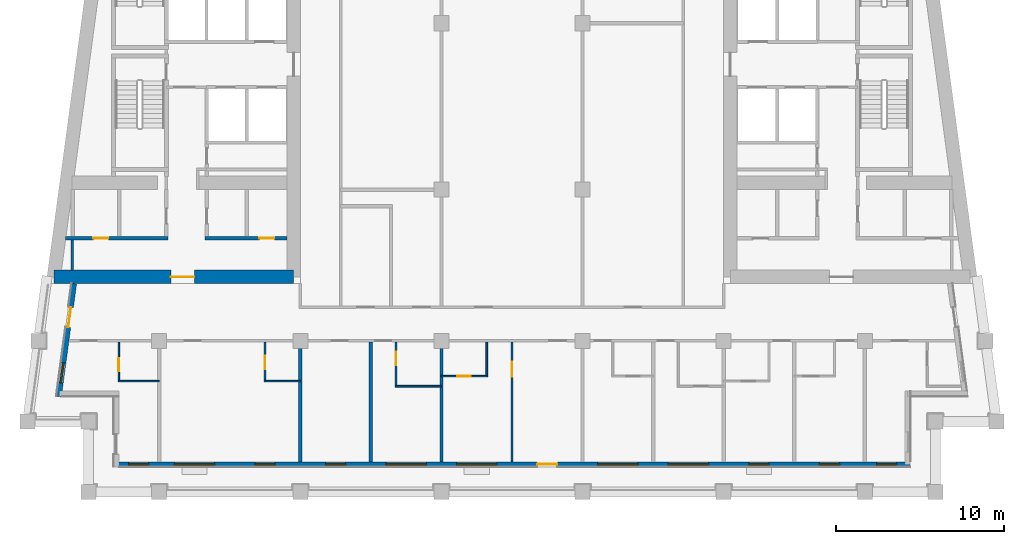
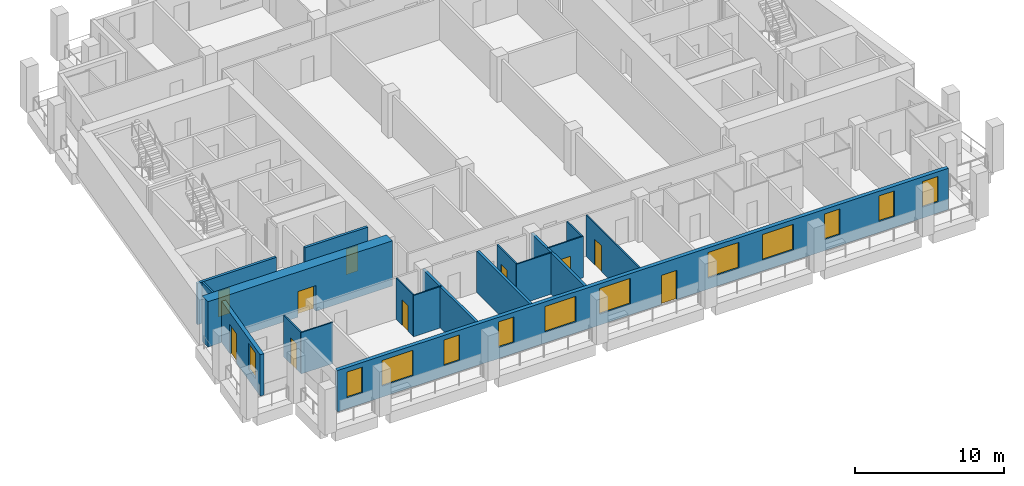
# One storey, part 2 of 12: 18 walls, 12 windows, 10 doors, 22 openings.
"""IFC4 building model written with IfcOpenShell, lengths in metres."""

from ifc_helpers import new_model, si_unit, direction, frame, frame_2d, origin, place, context, subcontext, project, spatial, rectangle, extrude, material, layer, layer_set, type_object, element, fill, save


model = new_model("IFC4")

# Units and contexts
model_context = context("Model", 3, precision=1e-05, world=origin(), true_north=direction((0.0, 1.0)))
body_context = subcontext(model_context, "Body", "Model", "MODEL_VIEW")
ifc_project = project(units=[si_unit("LENGTHUNIT", "METRE"), si_unit("AREAUNIT", "SQUARE_METRE"), si_unit("VOLUMEUNIT", "CUBIC_METRE"), si_unit("PLANEANGLEUNIT", "RADIAN"), si_unit("MASSUNIT", "GRAM", prefix="KILO")], contexts=[model_context])

# Site, building, storey
site_placement = place(None, origin())
site = spatial("IfcSite", under=ifc_project, at=site_placement, CompositionType="ELEMENT")
building_placement = place(site_placement, origin())
building = spatial("IfcBuilding", under=site, at=building_placement, Name="Candeia Pilgrim Tower and Theatre", CompositionType="ELEMENT")
storey_placement = place(building_placement, frame((0.0, 0.0, 224.39990234375)))
storey = spatial("IfcBuildingStorey", under=building, at=storey_placement, Name="L54", CompositionType="ELEMENT", Elevation=224.39990234375)

# Wall, opening, door
ifc_material_1 = material(Name="Concrete C50/60", Category="concrete")
ifc_layer_1 = layer(ifc_material_1, 0.800048828125)
ifc_layer_set_1 = layer_set([ifc_layer_1], Name="Core wall 800 C50/60")
wall_type_1 = type_object("IfcWallType", Name="Core wall 800 C50/60", PredefinedType="SHEAR", material=ifc_layer_set_1)
wall_1_placement = place(storey_placement, frame((100.39990234375, 110.800048828125, 0.0), z_axis=(0.0, 0.0, 1.0), x_axis=(-1.0, 0.0, 0.0)))
wall_1 = element("IfcWall", 1, at=wall_1_placement, inside=storey, type_object=wall_type_1, Name="Core wall W3", PredefinedType="SHEAR", context=body_context, shape_type="SweptSolid", body=[
    extrude(rectangle(XDim=14.273193359375, YDim=0.800048828125, at=frame_2d((7.13671875, 0.0))), origin(), (0.0, 0.0, 1.0), 3.7001953125),
])
opening_1_placement = place(wall_1_placement, frame((5.907958984375, 0.0, 0.0)))
opening_1 = element("IfcOpeningElement", 2, at=opening_1_placement, cuts=wall_1, Name="Opening L54-D054", PredefinedType="OPENING", context=body_context, shape_type="SweptSolid", body=[
    extrude(rectangle(XDim=1.39990234375, YDim=2.10009765625, at=frame_2d((0.699951171875, 1.050048828125))), frame((0.0, 0.41015625, 0.0), z_axis=(0.0, -1.0, 0.0), x_axis=(1.0, 0.0, 0.0)), (0.0, 0.0, 1.0), 0.820068359375),
])
ifc_material_2 = material(Name="Steel fire door set", Category="steel")
door_type_1 = type_object("IfcDoorType", Name="D-1400-FD60", OperationType="NOTDEFINED", PredefinedType="DOOR", material=ifc_material_2)
door_1_placement = place(opening_1_placement, origin())
door_1 = element("IfcDoor", 3, at=door_1_placement, inside=storey, type_object=door_type_1, Name="Door L54-D054", OperationType="SINGLE_SWING_RIGHT", OverallHeight=2.10009765625, OverallWidth=1.39990234375, PredefinedType="DOOR", context=body_context, shape_type="SweptSolid", body=[
    extrude(rectangle(XDim=1.39990234375, YDim=2.10009765625, at=frame_2d((0.699951171875, 1.050048828125))), frame((0.0, 0.02490234375, 0.0), z_axis=(0.0, -1.0, 0.0), x_axis=(1.0, 0.0, 0.0)), (0.0, 0.0, 1.0), 0.050048828125),
])
fill(opening_1, door_1)

# Wall, openings, door, windows
ifc_material_3 = material(Name="Ceramic block masonry", Category="masonry")
ifc_layer_2 = layer(ifc_material_3, 0.300048828125)
ifc_layer_set_2 = layer_set([ifc_layer_2], Name="EW1 glazing-line wall 300")
wall_type_2 = type_object("IfcWallType", Name="EW1 glazing-line wall 300", PredefinedType="SOLIDWALL", material=ifc_layer_set_2)
wall_2_placement = place(storey_placement, frame((89.85009765625, 99.64990234375, 0.0), z_axis=(0.0, 0.0, 1.0), x_axis=(1.0, 0.0, 0.0)))
wall_2 = element("IfcWall", 4, at=wall_2_placement, inside=storey, type_object=wall_type_2, Name="External wall L54-0.0", PredefinedType="SOLIDWALL", context=body_context, shape_type="SweptSolid", body=[
    extrude(rectangle(XDim=47.25, YDim=0.300048828125, at=frame_2d((23.625, 0.0))), origin(), (0.0, 0.0, 1.0), 3.380126953125),
])
opening_2_placement = place(wall_2_placement, frame((0.72509765625, 0.0, 0.89990234375)))
opening_2 = element("IfcOpeningElement", 5, at=opening_2_placement, cuts=wall_2, Name="Opening W-B", PredefinedType="OPENING", context=body_context, shape_type="SweptSolid", body=[
    extrude(rectangle(XDim=1.199951171875, YDim=2.10009765625, at=frame_2d((0.60009765625, 1.050048828125))), frame((0.0, 0.16015625, 0.0), z_axis=(0.0, -1.0, 0.0), x_axis=(1.0, 0.0, 0.0)), (0.0, 0.0, 1.0), 0.320068359375),
])
opening_3_placement = place(wall_2_placement, frame((3.449951171875, 0.0, 0.89990234375)))
opening_3 = element("IfcOpeningElement", 6, at=opening_3_placement, cuts=wall_2, Name="Opening W-A", PredefinedType="OPENING", context=body_context, shape_type="SweptSolid", body=[
    extrude(rectangle(XDim=2.39990234375, YDim=2.10009765625, at=frame_2d((1.199951171875, 1.050048828125))), frame((0.0, 0.16015625, 0.0), z_axis=(0.0, -1.0, 0.0), x_axis=(1.0, 0.0, 0.0)), (0.0, 0.0, 1.0), 0.320068359375),
])
opening_4_placement = place(wall_2_placement, frame((8.25, 0.0, 0.89990234375)))
opening_4 = element("IfcOpeningElement", 7, at=opening_4_placement, cuts=wall_2, Name="Opening W-B", PredefinedType="OPENING", context=body_context, shape_type="SweptSolid", body=[
    extrude(rectangle(XDim=1.199951171875, YDim=2.10009765625, at=frame_2d((0.60009765625, 1.050048828125))), frame((0.0, 0.16015625, 0.0), z_axis=(0.0, -1.0, 0.0), x_axis=(1.0, 0.0, 0.0)), (0.0, 0.0, 1.0), 0.320068359375),
])
opening_5_placement = place(wall_2_placement, frame((12.449951171875, 0.0, 0.89990234375)))
opening_5 = element("IfcOpeningElement", 8, at=opening_5_placement, cuts=wall_2, Name="Opening W-B", PredefinedType="OPENING", context=body_context, shape_type="SweptSolid", body=[
    extrude(rectangle(XDim=1.199951171875, YDim=2.10009765625, at=frame_2d((0.60009765625, 1.050048828125))), frame((0.0, 0.16015625, 0.0), z_axis=(0.0, -1.0, 0.0), x_axis=(1.0, 0.0, 0.0)), (0.0, 0.0, 1.0), 0.320068359375),
])
opening_6_placement = place(wall_2_placement, frame((16.050048828125, 0.0, 0.89990234375)))
opening_6 = element("IfcOpeningElement", 9, at=opening_6_placement, cuts=wall_2, Name="Opening W-A", PredefinedType="OPENING", context=body_context, shape_type="SweptSolid", body=[
    extrude(rectangle(XDim=2.39990234375, YDim=2.10009765625, at=frame_2d((1.199951171875, 1.050048828125))), frame((0.0, 0.16015625, 0.0), z_axis=(0.0, -1.0, 0.0), x_axis=(1.0, 0.0, 0.0)), (0.0, 0.0, 1.0), 0.320068359375),
])
opening_7_placement = place(wall_2_placement, frame((20.25, 0.0, 0.89990234375)))
opening_7 = element("IfcOpeningElement", 10, at=opening_7_placement, cuts=wall_2, Name="Opening W-A", PredefinedType="OPENING", context=body_context, shape_type="SweptSolid", body=[
    extrude(rectangle(XDim=2.39990234375, YDim=2.10009765625, at=frame_2d((1.199951171875, 1.050048828125))), frame((0.0, 0.16015625, 0.0), z_axis=(0.0, -1.0, 0.0), x_axis=(1.0, 0.0, 0.0)), (0.0, 0.0, 1.0), 0.320068359375),
])
opening_8_placement = place(wall_2_placement, frame((25.050048828125, 0.0, 0.0)))
opening_8 = element("IfcOpeningElement", 11, at=opening_8_placement, cuts=wall_2, Name="Opening L54-ED515", PredefinedType="OPENING", context=body_context, shape_type="SweptSolid", body=[
    extrude(rectangle(XDim=1.199951171875, YDim=2.39990234375, at=frame_2d((0.60009765625, 1.199951171875))), frame((0.0, 0.16015625, 0.0), z_axis=(0.0, -1.0, 0.0), x_axis=(1.0, 0.0, 0.0)), (0.0, 0.0, 1.0), 0.320068359375),
])
opening_9_placement = place(wall_2_placement, frame((28.64990234375, 0.0, 0.89990234375)))
opening_9 = element("IfcOpeningElement", 12, at=opening_9_placement, cuts=wall_2, Name="Opening W-A", PredefinedType="OPENING", context=body_context, shape_type="SweptSolid", body=[
    extrude(rectangle(XDim=2.39990234375, YDim=2.10009765625, at=frame_2d((1.199951171875, 1.050048828125))), frame((0.0, 0.16015625, 0.0), z_axis=(0.0, -1.0, 0.0), x_axis=(1.0, 0.0, 0.0)), (0.0, 0.0, 1.0), 0.320068359375),
])
opening_10_placement = place(wall_2_placement, frame((32.85009765625, 0.0, 0.89990234375)))
opening_10 = element("IfcOpeningElement", 13, at=opening_10_placement, cuts=wall_2, Name="Opening W-A", PredefinedType="OPENING", context=body_context, shape_type="SweptSolid", body=[
    extrude(rectangle(XDim=2.39990234375, YDim=2.10009765625, at=frame_2d((1.199951171875, 1.050048828125))), frame((0.0, 0.16015625, 0.0), z_axis=(0.0, -1.0, 0.0), x_axis=(1.0, 0.0, 0.0)), (0.0, 0.0, 1.0), 0.320068359375),
])
opening_11_placement = place(wall_2_placement, frame((37.64990234375, 0.0, 0.89990234375)))
opening_11 = element("IfcOpeningElement", 14, at=opening_11_placement, cuts=wall_2, Name="Opening W-B", PredefinedType="OPENING", context=body_context, shape_type="SweptSolid", body=[
    extrude(rectangle(XDim=1.199951171875, YDim=2.10009765625, at=frame_2d((0.60009765625, 1.050048828125))), frame((0.0, 0.16015625, 0.0), z_axis=(0.0, -1.0, 0.0), x_axis=(1.0, 0.0, 0.0)), (0.0, 0.0, 1.0), 0.320068359375),
])
opening_12_placement = place(wall_2_placement, frame((41.85009765625, 0.0, 0.89990234375)))
opening_12 = element("IfcOpeningElement", 15, at=opening_12_placement, cuts=wall_2, Name="Opening W-B", PredefinedType="OPENING", context=body_context, shape_type="SweptSolid", body=[
    extrude(rectangle(XDim=1.199951171875, YDim=2.10009765625, at=frame_2d((0.60009765625, 1.050048828125))), frame((0.0, 0.16015625, 0.0), z_axis=(0.0, -1.0, 0.0), x_axis=(1.0, 0.0, 0.0)), (0.0, 0.0, 1.0), 0.320068359375),
])
opening_13_placement = place(wall_2_placement, frame((45.25, 0.0, 0.89990234375)))
opening_13 = element("IfcOpeningElement", 16, at=opening_13_placement, cuts=wall_2, Name="Opening W-B", PredefinedType="OPENING", context=body_context, shape_type="SweptSolid", body=[
    extrude(rectangle(XDim=1.199951171875, YDim=2.10009765625, at=frame_2d((0.60009765625, 1.050048828125))), frame((0.0, 0.16015625, 0.0), z_axis=(0.0, -1.0, 0.0), x_axis=(1.0, 0.0, 0.0)), (0.0, 0.0, 1.0), 0.320068359375),
])
ifc_material_4 = material(Name="Aluminium framed glazed door", Category="aluminium")
door_type_2 = type_object("IfcDoorType", Name="Loggia door 1200x2400", OperationType="DOUBLE_DOOR_SINGLE_SWING", PredefinedType="DOOR", material=ifc_material_4)
door_2_placement = place(opening_8_placement, origin())
door_2 = element("IfcDoor", 17, at=door_2_placement, inside=storey, type_object=door_type_2, Name="Loggia door L54-ED515", OperationType="DOUBLE_DOOR_SINGLE_SWING", OverallHeight=2.39990234375, OverallWidth=1.199951171875, PredefinedType="DOOR", context=body_context, shape_type="SweptSolid", body=[
    extrude(rectangle(XDim=1.199951171875, YDim=2.39990234375, at=frame_2d((0.60009765625, 1.199951171875))), frame((0.0, 0.02490234375, 0.0), z_axis=(0.0, -1.0, 0.0), x_axis=(1.0, 0.0, 0.0)), (0.0, 0.0, 1.0), 0.050048828125),
])
fill(opening_8, door_2)
ifc_material_5 = material(Name="Aluminium framed double glazing", Category="aluminium")
window_type_1 = type_object("IfcWindowType", Name="W-A window 2400x2100", PartitioningType="DOUBLE_PANEL_VERTICAL", PredefinedType="WINDOW", material=ifc_material_5)
window_1_placement = place(opening_3_placement, origin())
window_1 = element("IfcWindow", 18, at=window_1_placement, inside=storey, type_object=window_type_1, Name="Window W-A L54", OverallHeight=2.10009765625, OverallWidth=2.39990234375, PartitioningType="SINGLE_PANEL", PredefinedType="WINDOW", context=body_context, shape_type="SweptSolid", body=[
    extrude(rectangle(XDim=2.39990234375, YDim=2.10009765625, at=frame_2d((1.199951171875, 1.050048828125))), frame((0.0, 0.030029296875, 0.0), z_axis=(0.0, -1.0, 0.0), x_axis=(1.0, 0.0, 0.0)), (0.0, 0.0, 1.0), 0.06005859375),
])
fill(opening_3, window_1)
window_2_placement = place(opening_6_placement, origin())
window_2 = element("IfcWindow", 19, at=window_2_placement, inside=storey, type_object=window_type_1, Name="Window W-A L54", OverallHeight=2.10009765625, OverallWidth=2.39990234375, PartitioningType="SINGLE_PANEL", PredefinedType="WINDOW", context=body_context, shape_type="SweptSolid", body=[
    extrude(rectangle(XDim=2.39990234375, YDim=2.10009765625, at=frame_2d((1.199951171875, 1.050048828125))), frame((0.0, 0.030029296875, 0.0), z_axis=(0.0, -1.0, 0.0), x_axis=(1.0, 0.0, 0.0)), (0.0, 0.0, 1.0), 0.06005859375),
])
fill(opening_6, window_2)
window_3_placement = place(opening_7_placement, origin())
window_3 = element("IfcWindow", 20, at=window_3_placement, inside=storey, type_object=window_type_1, Name="Window W-A L54", OverallHeight=2.10009765625, OverallWidth=2.39990234375, PartitioningType="SINGLE_PANEL", PredefinedType="WINDOW", context=body_context, shape_type="SweptSolid", body=[
    extrude(rectangle(XDim=2.39990234375, YDim=2.10009765625, at=frame_2d((1.199951171875, 1.050048828125))), frame((0.0, 0.030029296875, 0.0), z_axis=(0.0, -1.0, 0.0), x_axis=(1.0, 0.0, 0.0)), (0.0, 0.0, 1.0), 0.06005859375),
])
fill(opening_7, window_3)
window_4_placement = place(opening_9_placement, origin())
window_4 = element("IfcWindow", 21, at=window_4_placement, inside=storey, type_object=window_type_1, Name="Window W-A L54", OverallHeight=2.10009765625, OverallWidth=2.39990234375, PartitioningType="SINGLE_PANEL", PredefinedType="WINDOW", context=body_context, shape_type="SweptSolid", body=[
    extrude(rectangle(XDim=2.39990234375, YDim=2.10009765625, at=frame_2d((1.199951171875, 1.050048828125))), frame((0.0, 0.030029296875, 0.0), z_axis=(0.0, -1.0, 0.0), x_axis=(1.0, 0.0, 0.0)), (0.0, 0.0, 1.0), 0.06005859375),
])
fill(opening_9, window_4)
window_5_placement = place(opening_10_placement, origin())
window_5 = element("IfcWindow", 22, at=window_5_placement, inside=storey, type_object=window_type_1, Name="Window W-A L54", OverallHeight=2.10009765625, OverallWidth=2.39990234375, PartitioningType="SINGLE_PANEL", PredefinedType="WINDOW", context=body_context, shape_type="SweptSolid", body=[
    extrude(rectangle(XDim=2.39990234375, YDim=2.10009765625, at=frame_2d((1.199951171875, 1.050048828125))), frame((0.0, 0.030029296875, 0.0), z_axis=(0.0, -1.0, 0.0), x_axis=(1.0, 0.0, 0.0)), (0.0, 0.0, 1.0), 0.06005859375),
])
fill(opening_10, window_5)
window_type_2 = type_object("IfcWindowType", Name="W-B window 1200x2100", PartitioningType="SINGLE_PANEL", PredefinedType="WINDOW", material=ifc_material_5)
window_6_placement = place(opening_2_placement, origin())
window_6 = element("IfcWindow", 23, at=window_6_placement, inside=storey, type_object=window_type_2, Name="Window W-B L54", OverallHeight=2.10009765625, OverallWidth=1.199951171875, PartitioningType="SINGLE_PANEL", PredefinedType="WINDOW", context=body_context, shape_type="SweptSolid", body=[
    extrude(rectangle(XDim=1.199951171875, YDim=2.10009765625, at=frame_2d((0.60009765625, 1.050048828125))), frame((0.0, 0.030029296875, 0.0), z_axis=(0.0, -1.0, 0.0), x_axis=(1.0, 0.0, 0.0)), (0.0, 0.0, 1.0), 0.06005859375),
])
fill(opening_2, window_6)
window_7_placement = place(opening_4_placement, origin())
window_7 = element("IfcWindow", 24, at=window_7_placement, inside=storey, type_object=window_type_2, Name="Window W-B L54", OverallHeight=2.10009765625, OverallWidth=1.199951171875, PartitioningType="SINGLE_PANEL", PredefinedType="WINDOW", context=body_context, shape_type="SweptSolid", body=[
    extrude(rectangle(XDim=1.199951171875, YDim=2.10009765625, at=frame_2d((0.60009765625, 1.050048828125))), frame((0.0, 0.030029296875, 0.0), z_axis=(0.0, -1.0, 0.0), x_axis=(1.0, 0.0, 0.0)), (0.0, 0.0, 1.0), 0.06005859375),
])
fill(opening_4, window_7)
window_8_placement = place(opening_5_placement, origin())
window_8 = element("IfcWindow", 25, at=window_8_placement, inside=storey, type_object=window_type_2, Name="Window W-B L54", OverallHeight=2.10009765625, OverallWidth=1.199951171875, PartitioningType="SINGLE_PANEL", PredefinedType="WINDOW", context=body_context, shape_type="SweptSolid", body=[
    extrude(rectangle(XDim=1.199951171875, YDim=2.10009765625, at=frame_2d((0.60009765625, 1.050048828125))), frame((0.0, 0.030029296875, 0.0), z_axis=(0.0, -1.0, 0.0), x_axis=(1.0, 0.0, 0.0)), (0.0, 0.0, 1.0), 0.06005859375),
])
fill(opening_5, window_8)
window_9_placement = place(opening_11_placement, origin())
window_9 = element("IfcWindow", 26, at=window_9_placement, inside=storey, type_object=window_type_2, Name="Window W-B L54", OverallHeight=2.10009765625, OverallWidth=1.199951171875, PartitioningType="SINGLE_PANEL", PredefinedType="WINDOW", context=body_context, shape_type="SweptSolid", body=[
    extrude(rectangle(XDim=1.199951171875, YDim=2.10009765625, at=frame_2d((0.60009765625, 1.050048828125))), frame((0.0, 0.030029296875, 0.0), z_axis=(0.0, -1.0, 0.0), x_axis=(1.0, 0.0, 0.0)), (0.0, 0.0, 1.0), 0.06005859375),
])
fill(opening_11, window_9)
window_10_placement = place(opening_12_placement, origin())
window_10 = element("IfcWindow", 27, at=window_10_placement, inside=storey, type_object=window_type_2, Name="Window W-B L54", OverallHeight=2.10009765625, OverallWidth=1.199951171875, PartitioningType="SINGLE_PANEL", PredefinedType="WINDOW", context=body_context, shape_type="SweptSolid", body=[
    extrude(rectangle(XDim=1.199951171875, YDim=2.10009765625, at=frame_2d((0.60009765625, 1.050048828125))), frame((0.0, 0.030029296875, 0.0), z_axis=(0.0, -1.0, 0.0), x_axis=(1.0, 0.0, 0.0)), (0.0, 0.0, 1.0), 0.06005859375),
])
fill(opening_12, window_10)
window_11_placement = place(opening_13_placement, origin())
window_11 = element("IfcWindow", 28, at=window_11_placement, inside=storey, type_object=window_type_2, Name="Window W-B L54", OverallHeight=2.10009765625, OverallWidth=1.199951171875, PartitioningType="SINGLE_PANEL", PredefinedType="WINDOW", context=body_context, shape_type="SweptSolid", body=[
    extrude(rectangle(XDim=1.199951171875, YDim=2.10009765625, at=frame_2d((0.60009765625, 1.050048828125))), frame((0.0, 0.030029296875, 0.0), z_axis=(0.0, -1.0, 0.0), x_axis=(1.0, 0.0, 0.0)), (0.0, 0.0, 1.0), 0.06005859375),
])
fill(opening_13, window_11)

# Wall, openings, door, window
wall_3_placement = place(storey_placement, frame((87.334228515625, 110.39990234375, 0.0), z_axis=(0.0, 0.0, 1.0), x_axis=(-0.133437175554, -0.991057273915, 0.0)))
wall_3 = element("IfcWall", 29, at=wall_3_placement, inside=storey, type_object=wall_type_2, Name="External wall L54-9.1", PredefinedType="SOLIDWALL", context=body_context, shape_type="SweptSolid", body=[
    extrude(rectangle(XDim=6.780517578125, YDim=0.300048828125, at=frame_2d((3.39013671875, 0.0))), origin(), (0.0, 0.0, 1.0), 3.380126953125),
])
opening_14_placement = place(wall_3_placement, frame((1.41796875, 0.0, 0.0)))
opening_14 = element("IfcOpeningElement", 30, at=opening_14_placement, cuts=wall_3, Name="Opening L54-ED523", PredefinedType="OPENING", context=body_context, shape_type="SweptSolid", body=[
    extrude(rectangle(XDim=1.199951171875, YDim=2.39990234375, at=frame_2d((0.60009765625, 1.199951171875))), frame((0.0, 0.16015625, 0.0), z_axis=(0.0, -1.0, 0.0), x_axis=(1.0, 0.0, 0.0)), (0.0, 0.0, 1.0), 0.320068359375),
])
opening_15_placement = place(wall_3_placement, frame((4.75830078125, 0.0, 0.89990234375)))
opening_15 = element("IfcOpeningElement", 31, at=opening_15_placement, cuts=wall_3, Name="Opening W-B", PredefinedType="OPENING", context=body_context, shape_type="SweptSolid", body=[
    extrude(rectangle(XDim=1.199951171875, YDim=2.10009765625, at=frame_2d((0.60009765625, 1.050048828125))), frame((0.0, 0.16015625, 0.0), z_axis=(0.0, -1.0, 0.0), x_axis=(1.0, 0.0, 0.0)), (0.0, 0.0, 1.0), 0.320068359375),
])
door_3_placement = place(opening_14_placement, origin())
door_3 = element("IfcDoor", 32, at=door_3_placement, inside=storey, type_object=door_type_2, Name="Loggia door L54-ED523", OperationType="DOUBLE_DOOR_SINGLE_SWING", OverallHeight=2.39990234375, OverallWidth=1.199951171875, PredefinedType="DOOR", context=body_context, shape_type="SweptSolid", body=[
    extrude(rectangle(XDim=1.199951171875, YDim=2.39990234375, at=frame_2d((0.60009765625, 1.199951171875))), frame((0.0, 0.02490234375, 0.0), z_axis=(0.0, -1.0, 0.0), x_axis=(1.0, 0.0, 0.0)), (0.0, 0.0, 1.0), 0.050048828125),
])
fill(opening_14, door_3)
window_12_placement = place(opening_15_placement, origin())
window_12 = element("IfcWindow", 33, at=window_12_placement, inside=storey, type_object=window_type_2, Name="Window W-B L54", OverallHeight=2.10009765625, OverallWidth=1.199951171875, PartitioningType="SINGLE_PANEL", PredefinedType="WINDOW", context=body_context, shape_type="SweptSolid", body=[
    extrude(rectangle(XDim=1.199951171875, YDim=2.10009765625, at=frame_2d((0.60009765625, 1.050048828125))), frame((0.0, 0.030029296875, 0.0), z_axis=(0.0, -1.0, 0.0), x_axis=(1.0, 0.0, 0.0)), (0.0, 0.0, 1.0), 0.06005859375),
])
fill(opening_15, window_12)

# Walls
ifc_material_6 = material(Name="Gypsum board partition on steel studs", Category="steel")
ifc_layer_3 = layer(ifc_material_6, 0.10009765625)
ifc_layer_set_3 = layer_set([ifc_layer_3], Name="PW-100 room partition")
wall_type_3 = type_object("IfcWallType", Name="PW-100 room partition", PredefinedType="PARTITIONING", material=ifc_layer_set_3)
wall_4_placement = place(storey_placement, frame((106.449951171875, 104.300048828125, 0.0), z_axis=(0.0, 0.0, 1.0), x_axis=(1.0, 0.0, 0.0)))
element("IfcWall", 34, at=wall_4_placement, inside=storey, type_object=wall_type_3, Name="Room partition L54-001", PredefinedType="PARTITIONING", context=body_context, shape_type="SweptSolid", body=[
    extrude(rectangle(XDim=2.75, YDim=0.10009765625, at=frame_2d((1.375, 0.0))), origin(), (0.0, 0.0, 1.0), 3.380126953125),
])
wall_5_placement = place(storey_placement, frame((89.949951171875, 104.60009765625, 0.0), z_axis=(0.0, 0.0, 1.0), x_axis=(1.0, 0.0, 0.0)))
element("IfcWall", 35, at=wall_5_placement, inside=storey, type_object=wall_type_3, Name="Room partition L54-004", PredefinedType="PARTITIONING", context=body_context, shape_type="SweptSolid", body=[
    extrude(rectangle(XDim=2.449951171875, YDim=0.10009765625, at=frame_2d((1.22509765625, 0.0))), origin(), (0.0, 0.0, 1.0), 3.380126953125),
])
wall_6_placement = place(storey_placement, frame((98.64990234375, 104.60009765625, 0.0), z_axis=(0.0, 0.0, 1.0), x_axis=(1.0, 0.0, 0.0)))
element("IfcWall", 36, at=wall_6_placement, inside=storey, type_object=wall_type_3, Name="Room partition L54-005", PredefinedType="PARTITIONING", context=body_context, shape_type="SweptSolid", body=[
    extrude(rectangle(XDim=2.150146484375, YDim=0.10009765625, at=frame_2d((1.0751953125, 0.0))), origin(), (0.0, 0.0, 1.0), 3.380126953125),
])

# Wall, opening, door
wall_7_placement = place(storey_placement, frame((109.199951171875, 104.89990234375, 0.0), z_axis=(0.0, 0.0, 1.0), x_axis=(1.0, 0.0, 0.0)))
wall_7 = element("IfcWall", 37, at=wall_7_placement, inside=storey, type_object=wall_type_3, Name="Room partition L54-007", PredefinedType="PARTITIONING", context=body_context, shape_type="SweptSolid", body=[
    extrude(rectangle(XDim=2.75, YDim=0.10009765625, at=frame_2d((1.375, 0.0))), origin(), (0.0, 0.0, 1.0), 3.380126953125),
])
opening_16_placement = place(wall_7_placement, frame((0.949951171875, 0.0, 0.0)))
opening_16 = element("IfcOpeningElement", 38, at=opening_16_placement, cuts=wall_7, Name="Opening L54-D026", PredefinedType="OPENING", context=body_context, shape_type="SweptSolid", body=[
    extrude(rectangle(XDim=0.800048828125, YDim=2.10009765625, at=frame_2d((0.39990234375, 1.050048828125))), frame((0.0, 0.06005859375, 0.0), z_axis=(0.0, -1.0, 0.0), x_axis=(1.0, 0.0, 0.0)), (0.0, 0.0, 1.0), 0.1201171875),
])
ifc_material_7 = material(Name="Timber door leaf", Category="wood")
door_type_3 = type_object("IfcDoorType", Name="D-800", OperationType="NOTDEFINED", PredefinedType="DOOR", material=ifc_material_7)
door_4_placement = place(opening_16_placement, origin())
door_4 = element("IfcDoor", 39, at=door_4_placement, inside=storey, type_object=door_type_3, Name="Door L54-D026", OperationType="SINGLE_SWING_RIGHT", OverallHeight=2.10009765625, OverallWidth=0.800048828125, PredefinedType="DOOR", context=body_context, shape_type="SweptSolid", body=[
    extrude(rectangle(XDim=0.800048828125, YDim=2.10009765625, at=frame_2d((0.39990234375, 1.050048828125))), frame((0.0, 0.02490234375, 0.0), z_axis=(0.0, -1.0, 0.0), x_axis=(1.0, 0.0, 0.0)), (0.0, 0.0, 1.0), 0.050048828125),
])
fill(opening_16, door_4)

wall_8_placement = place(storey_placement, frame((90.0, 104.64990234375, 0.0), z_axis=(0.0, 0.0, 1.0), x_axis=(0.0, 1.0, 0.0)))
wall_8 = element("IfcWall", 40, at=wall_8_placement, inside=storey, type_object=wall_type_3, Name="Room partition L54-053", PredefinedType="PARTITIONING", context=body_context, shape_type="SweptSolid", body=[
    extrude(rectangle(XDim=2.275146484375, YDim=0.10009765625, at=frame_2d((1.1376953125, 0.0))), origin(), (0.0, 0.0, 1.0), 3.380126953125),
])
opening_17_placement = place(wall_8_placement, frame((0.52490234375, 0.0, 0.0)))
opening_17 = element("IfcOpeningElement", 41, at=opening_17_placement, cuts=wall_8, Name="Opening L54-D018", PredefinedType="OPENING", context=body_context, shape_type="SweptSolid", body=[
    extrude(rectangle(XDim=0.800048828125, YDim=2.10009765625, at=frame_2d((0.39990234375, 1.050048828125))), frame((0.0, 0.06005859375, 0.0), z_axis=(0.0, -1.0, 0.0), x_axis=(1.0, 0.0, 0.0)), (0.0, 0.0, 1.0), 0.1201171875),
])
door_5_placement = place(opening_17_placement, origin())
door_5 = element("IfcDoor", 42, at=door_5_placement, inside=storey, type_object=door_type_3, Name="Door L54-D018", OperationType="SINGLE_SWING_RIGHT", OverallHeight=2.10009765625, OverallWidth=0.800048828125, PredefinedType="DOOR", context=body_context, shape_type="SweptSolid", body=[
    extrude(rectangle(XDim=0.800048828125, YDim=2.10009765625, at=frame_2d((0.39990234375, 1.050048828125))), frame((0.0, 0.02490234375, 0.0), z_axis=(0.0, -1.0, 0.0), x_axis=(1.0, 0.0, 0.0)), (0.0, 0.0, 1.0), 0.050048828125),
])
fill(opening_17, door_5)

wall_9_placement = place(storey_placement, frame((98.699951171875, 104.64990234375, 0.0), z_axis=(0.0, 0.0, 1.0), x_axis=(0.0, 1.0, 0.0)))
wall_9 = element("IfcWall", 43, at=wall_9_placement, inside=storey, type_object=wall_type_3, Name="Room partition L54-070", PredefinedType="PARTITIONING", context=body_context, shape_type="SweptSolid", body=[
    extrude(rectangle(XDim=2.275146484375, YDim=0.10009765625, at=frame_2d((1.1376953125, 0.0))), origin(), (0.0, 0.0, 1.0), 3.380126953125),
])
opening_18_placement = place(wall_9_placement, frame((0.659912109375, 0.0, 0.0)))
opening_18 = element("IfcOpeningElement", 44, at=opening_18_placement, cuts=wall_9, Name="Opening L54-D020", PredefinedType="OPENING", context=body_context, shape_type="SweptSolid", body=[
    extrude(rectangle(XDim=0.800048828125, YDim=2.10009765625, at=frame_2d((0.39990234375, 1.050048828125))), frame((0.0, 0.06005859375, 0.0), z_axis=(0.0, -1.0, 0.0), x_axis=(1.0, 0.0, 0.0)), (0.0, 0.0, 1.0), 0.1201171875),
])
door_6_placement = place(opening_18_placement, origin())
door_6 = element("IfcDoor", 45, at=door_6_placement, inside=storey, type_object=door_type_3, Name="Door L54-D020", OperationType="SINGLE_SWING_RIGHT", OverallHeight=2.10009765625, OverallWidth=0.800048828125, PredefinedType="DOOR", context=body_context, shape_type="SweptSolid", body=[
    extrude(rectangle(XDim=0.800048828125, YDim=2.10009765625, at=frame_2d((0.39990234375, 1.050048828125))), frame((0.0, 0.02490234375, 0.0), z_axis=(0.0, -1.0, 0.0), x_axis=(1.0, 0.0, 0.0)), (0.0, 0.0, 1.0), 0.050048828125),
])
fill(opening_18, door_6)

wall_10_placement = place(storey_placement, frame((106.5, 104.35009765625, 0.0), z_axis=(0.0, 0.0, 1.0), x_axis=(0.0, 1.0, 0.0)))
wall_10 = element("IfcWall", 46, at=wall_10_placement, inside=storey, type_object=wall_type_3, Name="Room partition L54-078", PredefinedType="PARTITIONING", context=body_context, shape_type="SweptSolid", body=[
    extrude(rectangle(XDim=2.574951171875, YDim=0.10009765625, at=frame_2d((1.28759765625, 0.0))), origin(), (0.0, 0.0, 1.0), 3.380126953125),
])
opening_19_placement = place(wall_10_placement, frame((1.199951171875, 0.0, 0.0)))
opening_19 = element("IfcOpeningElement", 47, at=opening_19_placement, cuts=wall_10, Name="Opening L54-D023", PredefinedType="OPENING", context=body_context, shape_type="SweptSolid", body=[
    extrude(rectangle(XDim=0.800048828125, YDim=2.10009765625, at=frame_2d((0.39990234375, 1.050048828125))), frame((0.0, 0.06005859375, 0.0), z_axis=(0.0, -1.0, 0.0), x_axis=(1.0, 0.0, 0.0)), (0.0, 0.0, 1.0), 0.1201171875),
])
door_7_placement = place(opening_19_placement, origin())
door_7 = element("IfcDoor", 48, at=door_7_placement, inside=storey, type_object=door_type_3, Name="Door L54-D023", OperationType="SINGLE_SWING_LEFT", OverallHeight=2.10009765625, OverallWidth=0.800048828125, PredefinedType="DOOR", context=body_context, shape_type="SweptSolid", body=[
    extrude(rectangle(XDim=0.800048828125, YDim=2.10009765625, at=frame_2d((0.39990234375, 1.050048828125))), frame((0.0, 0.02490234375, 0.0), z_axis=(0.0, -1.0, 0.0), x_axis=(1.0, 0.0, 0.0)), (0.0, 0.0, 1.0), 0.050048828125),
])
fill(opening_19, door_7)

# Wall
wall_11_placement = place(storey_placement, frame((111.89990234375, 104.949951171875, 0.0), z_axis=(0.0, 0.0, 1.0), x_axis=(0.0, 1.0, 0.0)))
element("IfcWall", 49, at=wall_11_placement, inside=storey, type_object=wall_type_3, Name="Room partition L54-083", PredefinedType="PARTITIONING", context=body_context, shape_type="SweptSolid", body=[
    extrude(rectangle(XDim=1.97509765625, YDim=0.10009765625, at=frame_2d((0.987548828125, 0.0))), origin(), (0.0, 0.0, 1.0), 3.380126953125),
])

# Wall, opening, door
wall_12_placement = place(storey_placement, frame((113.39990234375, 99.7900390625, 0.0), z_axis=(0.0, 0.0, 1.0), x_axis=(0.0, 1.0, 0.0)))
wall_12 = element("IfcWall", 50, at=wall_12_placement, inside=storey, type_object=wall_type_3, Name="Room partition L54-084", PredefinedType="PARTITIONING", context=body_context, shape_type="SweptSolid", body=[
    extrude(rectangle(XDim=7.135009765625, YDim=0.10009765625, at=frame_2d((3.5673828125, 0.0))), origin(), (0.0, 0.0, 1.0), 3.380126953125),
])
opening_20_placement = place(wall_12_placement, frame((5.074951171875, 0.0, 0.0)))
opening_20 = element("IfcOpeningElement", 51, at=opening_20_placement, cuts=wall_12, Name="Opening L54-D025", PredefinedType="OPENING", context=body_context, shape_type="SweptSolid", body=[
    extrude(rectangle(XDim=0.89990234375, YDim=2.10009765625, at=frame_2d((0.449951171875, 1.050048828125))), frame((0.0, 0.06005859375, 0.0), z_axis=(0.0, -1.0, 0.0), x_axis=(1.0, 0.0, 0.0)), (0.0, 0.0, 1.0), 0.1201171875),
])
door_type_4 = type_object("IfcDoorType", Name="D-900", OperationType="NOTDEFINED", PredefinedType="DOOR", material=ifc_material_7)
door_8_placement = place(opening_20_placement, origin())
door_8 = element("IfcDoor", 52, at=door_8_placement, inside=storey, type_object=door_type_4, Name="Door L54-D025", OperationType="SINGLE_SWING_LEFT", OverallHeight=2.10009765625, OverallWidth=0.89990234375, PredefinedType="DOOR", context=body_context, shape_type="SweptSolid", body=[
    extrude(rectangle(XDim=0.89990234375, YDim=2.10009765625, at=frame_2d((0.449951171875, 1.050048828125))), frame((0.0, 0.02490234375, 0.0), z_axis=(0.0, -1.0, 0.0), x_axis=(1.0, 0.0, 0.0)), (0.0, 0.0, 1.0), 0.050048828125),
])
fill(opening_20, door_8)

# Walls
ifc_layer_4 = layer(ifc_material_6, 0.14990234375)
ifc_layer_set_4 = layer_set([ifc_layer_4], Name="PW-150 lobby wall")
wall_type_4 = type_object("IfcWallType", Name="PW-150 lobby wall", PredefinedType="PARTITIONING", material=ifc_layer_set_4)
wall_13_placement = place(storey_placement, frame((87.22705078125, 111.199951171875, 0.0), z_axis=(0.0, 0.0, 1.0), x_axis=(0.0, 1.0, 0.0)))
element("IfcWall", 53, at=wall_13_placement, inside=storey, type_object=wall_type_4, Name="Lobby wall L54-050", PredefinedType="PARTITIONING", context=body_context, shape_type="SweptSolid", body=[
    extrude(rectangle(XDim=1.800048828125, YDim=0.14990234375, at=frame_2d((0.89990234375, 0.0))), origin(), (0.0, 0.0, 1.0), 3.380126953125),
])
ifc_layer_5 = layer(ifc_material_6, 0.199951171875)
ifc_layer_set_5 = layer_set([ifc_layer_5], Name="PW-200 party wall")
wall_type_5 = type_object("IfcWallType", Name="PW-200 party wall", PredefinedType="PARTITIONING", material=ifc_layer_set_5)
for number, where, z_axis, x_axis, name in (
    (54, (100.800048828125, 99.7900390625, 0.0), (0.0, 0.0, 1.0), (0.0, 1.0, 0.0), "Party wall L54-071"),
    (55, (105.0, 99.7900390625, 0.0), (0.0, 0.0, 1.0), (0.0, 1.0, 0.0), "Party wall L54-076"),
    (56, (109.199951171875, 99.7900390625, 0.0), (0.0, 0.0, 1.0), (0.0, 1.0, 0.0), "Party wall L54-080"),
):
    element("IfcWall", number, at=place(storey_placement, frame(where, z_axis=z_axis, x_axis=x_axis)), inside=storey, type_object=wall_type_5, Name=name, PredefinedType="PARTITIONING", context=body_context, shape_type="SweptSolid", body=[
        extrude(rectangle(XDim=7.135009765625, YDim=0.199951171875, at=frame_2d((3.5673828125, 0.0))), origin(), (0.0, 0.0, 1.0), 3.380126953125),
    ])

# Wall, opening, door
ifc_material_8 = material(Name="Concrete C40/50", Category="concrete")
ifc_layer_6 = layer(ifc_material_8, 0.199951171875)
ifc_layer_set_6 = layer_set([ifc_layer_6], Name="SW-200 shaft wall")
wall_type_6 = type_object("IfcWallType", Name="SW-200 shaft wall", PredefinedType="PARTITIONING", material=ifc_layer_set_6)
wall_14_placement = place(storey_placement, frame((86.809814453125, 113.10009765625, 0.0), z_axis=(0.0, 0.0, 1.0), x_axis=(1.0, 0.0, 0.0)))
wall_14 = element("IfcWall", 57, at=wall_14_placement, inside=storey, type_object=wall_type_6, Name="Shaft wall L54-012", PredefinedType="PARTITIONING", context=body_context, shape_type="SweptSolid", body=[
    extrude(rectangle(XDim=6.1171875, YDim=0.199951171875, at=frame_2d((3.05859375, 0.0))), origin(), (0.0, 0.0, 1.0), 3.380126953125),
])
opening_21_placement = place(wall_14_placement, frame((1.6669921875, 0.0, 0.0)))
opening_21 = element("IfcOpeningElement", 58, at=opening_21_placement, cuts=wall_14, Name="Opening L54-D005", PredefinedType="OPENING", context=body_context, shape_type="SweptSolid", body=[
    extrude(rectangle(XDim=0.89990234375, YDim=2.10009765625, at=frame_2d((0.449951171875, 1.050048828125))), frame((0.0, 0.10986328125, 0.0), z_axis=(0.0, -1.0, 0.0), x_axis=(1.0, 0.0, 0.0)), (0.0, 0.0, 1.0), 0.219970703125),
])
door_type_5 = type_object("IfcDoorType", Name="D-900-FD60", OperationType="NOTDEFINED", PredefinedType="DOOR", material=ifc_material_2)
door_9_placement = place(opening_21_placement, origin())
door_9 = element("IfcDoor", 59, at=door_9_placement, inside=storey, type_object=door_type_5, Name="Door L54-D005", OperationType="SINGLE_SWING_LEFT", OverallHeight=2.10009765625, OverallWidth=0.89990234375, PredefinedType="DOOR", context=body_context, shape_type="SweptSolid", body=[
    extrude(rectangle(XDim=0.89990234375, YDim=2.10009765625, at=frame_2d((0.449951171875, 1.050048828125))), frame((0.0, 0.02490234375, 0.0), z_axis=(0.0, -1.0, 0.0), x_axis=(1.0, 0.0, 0.0)), (0.0, 0.0, 1.0), 0.050048828125),
])
fill(opening_21, door_9)

wall_15_placement = place(storey_placement, frame((95.126953125, 113.10009765625, 0.0), z_axis=(0.0, 0.0, 1.0), x_axis=(1.0, 0.0, 0.0)))
wall_15 = element("IfcWall", 60, at=wall_15_placement, inside=storey, type_object=wall_type_6, Name="Shaft wall L54-013", PredefinedType="PARTITIONING", context=body_context, shape_type="SweptSolid", body=[
    extrude(rectangle(XDim=4.873046875, YDim=0.199951171875, at=frame_2d((2.4365234375, 0.0))), origin(), (0.0, 0.0, 1.0), 3.380126953125),
])
opening_22_placement = place(wall_15_placement, frame((3.22998046875, 0.0, 0.0)))
opening_22 = element("IfcOpeningElement", 61, at=opening_22_placement, cuts=wall_15, Name="Opening L54-D008", PredefinedType="OPENING", context=body_context, shape_type="SweptSolid", body=[
    extrude(rectangle(XDim=0.89990234375, YDim=2.10009765625, at=frame_2d((0.449951171875, 1.050048828125))), frame((0.0, 0.10986328125, 0.0), z_axis=(0.0, -1.0, 0.0), x_axis=(1.0, 0.0, 0.0)), (0.0, 0.0, 1.0), 0.219970703125),
])
door_10_placement = place(opening_22_placement, origin())
door_10 = element("IfcDoor", 62, at=door_10_placement, inside=storey, type_object=door_type_5, Name="Door L54-D008", OperationType="SINGLE_SWING_RIGHT", OverallHeight=2.10009765625, OverallWidth=0.89990234375, PredefinedType="DOOR", context=body_context, shape_type="SweptSolid", body=[
    extrude(rectangle(XDim=0.89990234375, YDim=2.10009765625, at=frame_2d((0.449951171875, 1.050048828125))), frame((0.0, 0.02490234375, 0.0), z_axis=(0.0, -1.0, 0.0), x_axis=(1.0, 0.0, 0.0)), (0.0, 0.0, 1.0), 0.050048828125),
])
fill(opening_22, door_10)

save(model, "model.ifc")
